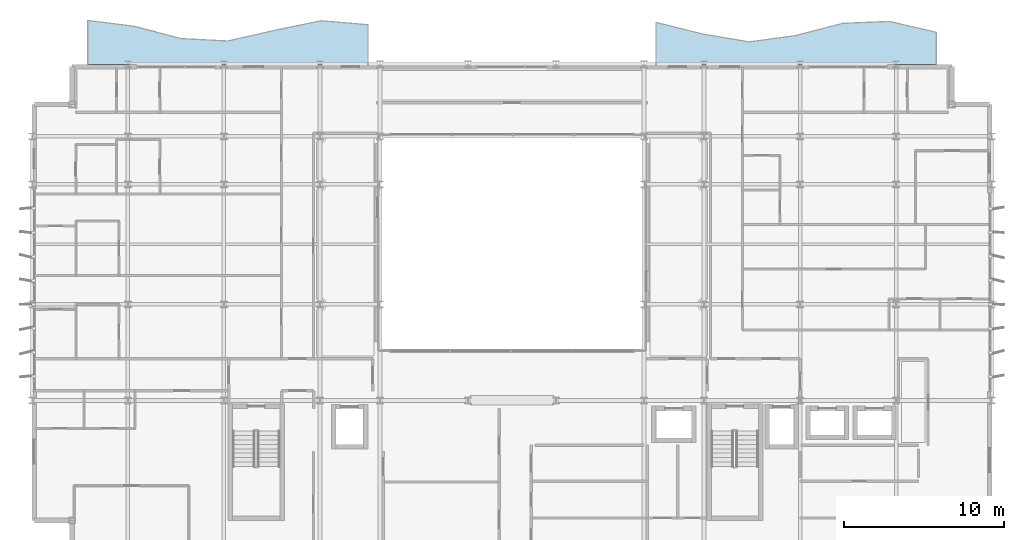
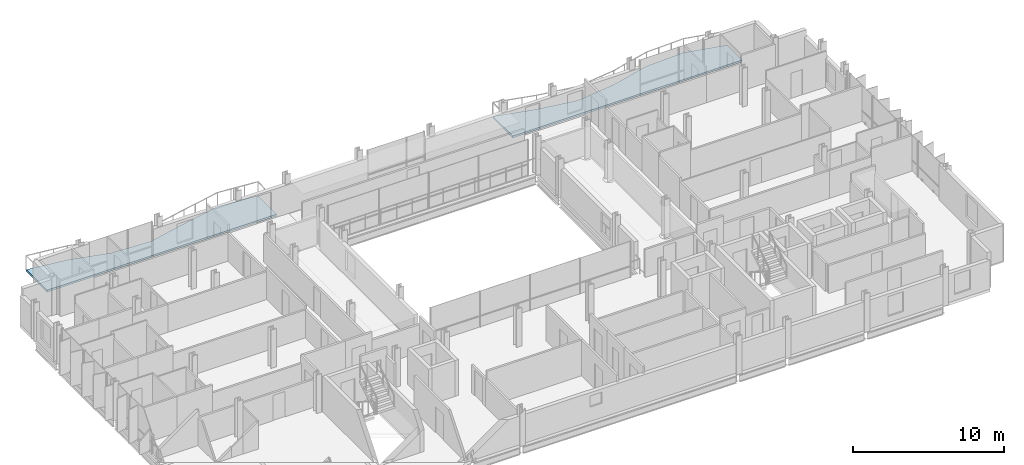
# One storey, part 27 of 39: 2 slabs.
"""IFC4 building model written with IfcOpenShell, lengths in metres."""

from ifc_helpers import new_model, si_unit, direction, frame, origin, place, context, subcontext, project, spatial, polyline, outline, extrude, material, layer, layer_set, type_object, element, save


model = new_model("IFC4")

# Units and contexts
model_context = context("Model", 3, precision=1e-05, world=origin(), true_north=direction((0.0, 1.0)))
body_context = subcontext(model_context, "Body", "Model", "MODEL_VIEW")
ifc_project = project(units=[si_unit("LENGTHUNIT", "METRE"), si_unit("AREAUNIT", "SQUARE_METRE"), si_unit("VOLUMEUNIT", "CUBIC_METRE"), si_unit("PLANEANGLEUNIT", "RADIAN"), si_unit("MASSUNIT", "GRAM", prefix="KILO")], contexts=[model_context])

# Site, building, storey
site_placement = place(None, origin())
site = spatial("IfcSite", under=ifc_project, at=site_placement, CompositionType="ELEMENT")
building_placement = place(site_placement, origin())
building = spatial("IfcBuilding", under=site, at=building_placement, Name="Brevholm Reach", CompositionType="ELEMENT")
storey_placement = place(building_placement, frame((0.0, 0.0, 154.199951171875)))
storey = spatial("IfcBuildingStorey", under=building, at=storey_placement, Name="L46", CompositionType="ELEMENT", Elevation=154.199951171875)

# Slabs
ifc_material = material(Name="Precast Concrete C45/55", Category="concrete")
ifc_layer = layer(ifc_material, 0.14990234375)
ifc_layer_set = layer_set([ifc_layer], Name="Precast Concrete C45/55")
slab_type = type_object("IfcSlabType", Name="SLB-BAL-150", PredefinedType="FLOOR", material=ifc_layer_set)
slab_1_placement = place(storey_placement, frame((0.0, 0.0, -0.14990234375)))
element("IfcSlab", 1, at=slab_1_placement, inside=storey, type_object=slab_type, Name="L46 Rippling External Balcony NE", PredefinedType="FLOOR", context=body_context, shape_type="SweptSolid", body=[
    extrude(outline(polyline([(39.0, 31.0), (56.5, 31.0), (56.5, 33.00439453125), (53.583251953125, 33.681640625), (50.666748046875, 33.560546875), (47.75, 32.800537109375), (44.833251953125, 32.401611328125), (41.916748046875, 32.888916015625), (39.0, 33.62109375), (39.0, 31.0)])), origin(), (0.0, 0.0, 1.0), 0.14990234375),
])
slab_2_placement = place(storey_placement, frame((0.0, 0.0, -0.14990234375)))
element("IfcSlab", 2, at=slab_2_placement, inside=storey, type_object=slab_type, Name="L46 Rippling External Balcony NW", PredefinedType="FLOOR", context=body_context, shape_type="SweptSolid", body=[
    extrude(outline(polyline([(3.5, 31.0), (21.0, 31.0), (21.0, 33.4716796875), (18.083251953125, 33.723876953125), (15.166748046875, 33.1220703125), (12.25, 32.45849609375), (9.333251953125, 32.606201171875), (6.416748046875, 33.370849609375), (3.5, 33.746337890625), (3.5, 31.0)])), origin(), (0.0, 0.0, 1.0), 0.14990234375),
])

save(model, "model.ifc")
